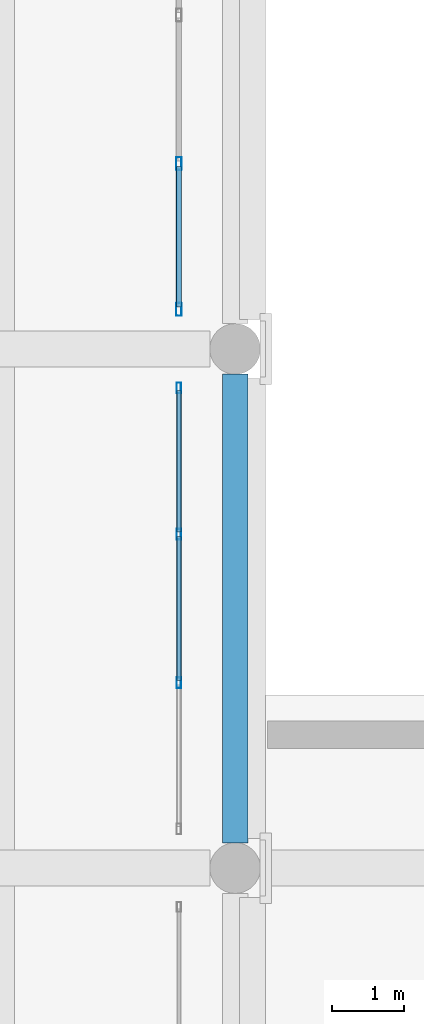
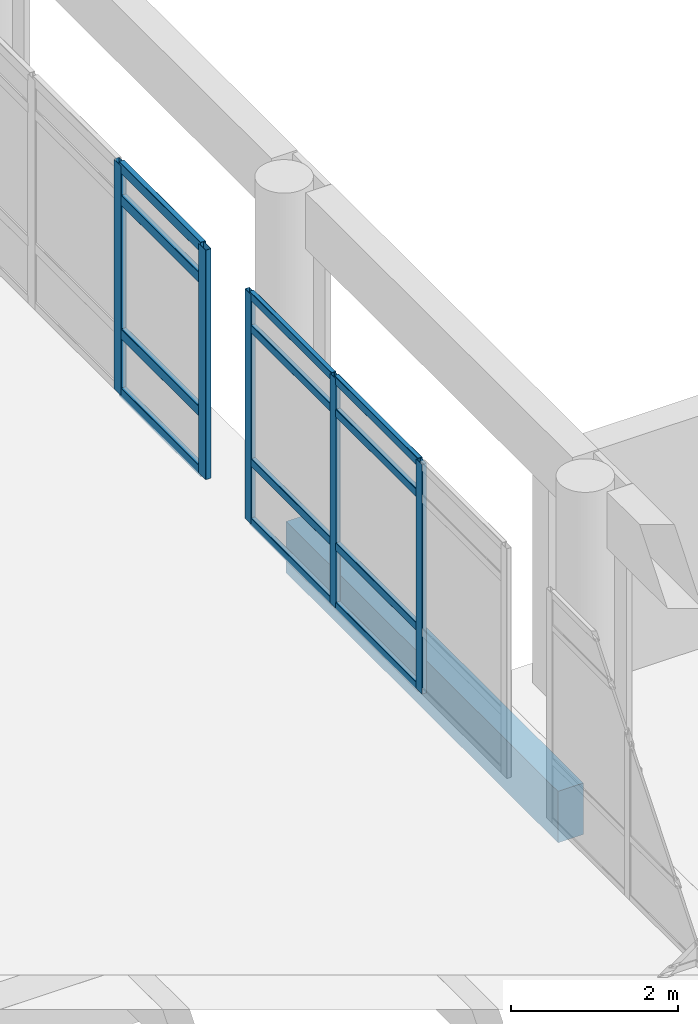
# One storey, part 39 of 196: 17 members, 1 beam, 2 elements without a shape of their own.
"""IFC4 building model written with IfcOpenShell, lengths in metres."""

from ifc_helpers import new_model, si_unit, direction, frame, origin, origin_2d, place, context, subcontext, project, spatial, rectangle, hollow_rectangle, extrude, material, layer, layer_set, material_profile, profile_set, type_object, element, aggregate, save


model = new_model("IFC4")

# Units and contexts
model_context = context("Model", 3, precision=1e-05, world=origin(), true_north=direction((0.0, 1.0)))
body_context = subcontext(model_context, "Body", "Model", "MODEL_VIEW")
ifc_project = project(units=[si_unit("LENGTHUNIT", "METRE"), si_unit("AREAUNIT", "SQUARE_METRE"), si_unit("VOLUMEUNIT", "CUBIC_METRE"), si_unit("PLANEANGLEUNIT", "RADIAN"), si_unit("MASSUNIT", "GRAM", prefix="KILO")], contexts=[model_context])

# Site, building, storey
site_placement = place(None, origin())
site = spatial("IfcSite", under=ifc_project, at=site_placement, CompositionType="ELEMENT")
building_placement = place(site_placement, origin())
building = spatial("IfcBuilding", under=site, at=building_placement, Name="Asteropetra Specialist Clinic", CompositionType="ELEMENT")
storey_placement = place(building_placement, origin())
storey = spatial("IfcBuildingStorey", under=building, at=storey_placement, Name="L00", CompositionType="ELEMENT", Elevation=0.0)

# Curtain wall, members
ifc_material_1 = material(Name="Aluminium and low-E glass", Category="aluminium")
ifc_layer = layer(ifc_material_1, 0.179931640625)
ifc_layer_set = layer_set([ifc_layer], Name="Aluminium and low-E glass")
curtain_wall_type = type_object("IfcCurtainWallType", Name="CW-SYS-10", PredefinedType="USERDEFINED", material=ifc_layer_set)
curtain_wall_1_placement = place(storey_placement, origin())
curtain_wall_1 = element("IfcCurtainWall", 1, at=curtain_wall_1_placement, inside=storey, type_object=curtain_wall_type, Name="Curtain Wall CW-130", ObjectType="STICK GLAZED COLONNADE", PredefinedType="USERDEFINED")
ifc_material_2 = material(Name="Aluminium 6063-T6", Category="aluminium")
ifc_material_profile_1 = material_profile(ifc_material_2, hollow_rectangle(XDim=0.06494140625, YDim=0.14990234375, WallThickness=0.00390625, InnerFilletRadius=0.00390625, OuterFilletRadius=0.008056640625, at=origin_2d()), Name="MUL 150x65x4.0")
ifc_profile_set_1 = profile_set([ifc_material_profile_1], Name="Aluminium 6063-T6")
member_type_1 = type_object("IfcMemberType", Name="CWM-150x65", PredefinedType="MULLION", material=ifc_profile_set_1)
member_1_placement = place(storey_placement, frame((56.820068359375, 7.3701171875, 0.0), z_axis=(0.0, 0.0, 1.0), x_axis=(-1.0, 0.0, 0.0)))
member_1 = element("IfcMember", 2, at=member_1_placement, type_object=member_type_1, Name="CW-130 mullion 2", PredefinedType="MULLION", context=body_context, shape_type="SweptSolid", body=[
    extrude(hollow_rectangle(XDim=0.06494140625, YDim=0.14990234375, WallThickness=0.00390625, InnerFilletRadius=0.00390625, OuterFilletRadius=0.008056640625, at=origin_2d()), origin(), (0.0, 0.0, 1.0), 3.35009765625),
])
member_2_placement = place(storey_placement, frame((56.820068359375, 9.429931640625, 0.0), z_axis=(0.0, 0.0, 1.0), x_axis=(-1.0, 0.0, 0.0)))
member_2 = element("IfcMember", 3, at=member_2_placement, type_object=member_type_1, Name="CW-130 mullion 3", PredefinedType="MULLION", context=body_context, shape_type="SweptSolid", body=[
    extrude(hollow_rectangle(XDim=0.06494140625, YDim=0.14990234375, WallThickness=0.00390625, InnerFilletRadius=0.00390625, OuterFilletRadius=0.008056640625, at=origin_2d()), origin(), (0.0, 0.0, 1.0), 3.35009765625),
])
member_3_placement = place(storey_placement, frame((56.820068359375, 11.45751953125, 0.0), z_axis=(0.0, 0.0, 1.0), x_axis=(-1.0, 0.0, 0.0)))
member_3 = element("IfcMember", 4, at=member_3_placement, type_object=member_type_1, Name="CW-130 mullion 4", PredefinedType="MULLION", context=body_context, shape_type="SweptSolid", body=[
    extrude(hollow_rectangle(XDim=0.06494140625, YDim=0.14990234375, WallThickness=0.00390625, InnerFilletRadius=0.00390625, OuterFilletRadius=0.008056640625, at=origin_2d()), origin(), (0.0, 0.0, 1.0), 3.35009765625),
])

curtain_wall_2_placement = place(storey_placement, origin())
curtain_wall_2 = element("IfcCurtainWall", 5, at=curtain_wall_2_placement, inside=storey, type_object=curtain_wall_type, Name="Curtain Wall CW-132", ObjectType="STICK GLAZED COLONNADE", PredefinedType="USERDEFINED")
ifc_material_3 = material(Name="Aluminium 6063-T6", Category="aluminium")
ifc_material_profile_2 = material_profile(ifc_material_3, hollow_rectangle(XDim=0.074951171875, YDim=0.179931640625, WallThickness=0.00390625, InnerFilletRadius=0.00390625, OuterFilletRadius=0.008056640625, at=origin_2d()), Name="MUL 180x75x4.0")
ifc_profile_set_2 = profile_set([ifc_material_profile_2], Name="Aluminium 6063-T6")
member_type_2 = type_object("IfcMemberType", Name="CWM-180x75", PredefinedType="MULLION", material=ifc_profile_set_2)
member_4_placement = place(storey_placement, frame((56.820068359375, 12.547607421875, 0.0), z_axis=(0.0, 0.0, 1.0), x_axis=(-1.0, 0.0, 0.0)))
member_4 = element("IfcMember", 6, at=member_4_placement, type_object=member_type_2, Name="CW-132 mullion 1", PredefinedType="MULLION", context=body_context, shape_type="SweptSolid", body=[
    extrude(hollow_rectangle(XDim=0.074951171875, YDim=0.179931640625, WallThickness=0.00390625, InnerFilletRadius=0.00390625, OuterFilletRadius=0.008056640625, at=origin_2d()), origin(), (0.0, 0.0, 1.0), 3.35009765625),
])
member_5_placement = place(storey_placement, frame((56.820068359375, 14.570068359375, 0.0), z_axis=(0.0, 0.0, 1.0), x_axis=(-1.0, 0.0, 0.0)))
member_5 = element("IfcMember", 7, at=member_5_placement, type_object=member_type_2, Name="CW-132 mullion 2", PredefinedType="MULLION", context=body_context, shape_type="SweptSolid", body=[
    extrude(hollow_rectangle(XDim=0.074951171875, YDim=0.179931640625, WallThickness=0.00390625, InnerFilletRadius=0.00390625, OuterFilletRadius=0.008056640625, at=origin_2d()), origin(), (0.0, 0.0, 1.0), 3.35009765625),
])

# Member
ifc_material_4 = material(Name="Aluminium 6063-T6", Category="aluminium")
ifc_material_profile_3 = material_profile(ifc_material_4, hollow_rectangle(XDim=0.06494140625, YDim=0.1201171875, WallThickness=0.00390625, InnerFilletRadius=0.00390625, OuterFilletRadius=0.008056640625, at=origin_2d()), Name="TRN 120x65x4.0")
ifc_profile_set_3 = profile_set([ifc_material_profile_3], Name="Aluminium 6063-T6")
member_type_3 = type_object("IfcMemberType", Name="CWT-120x65", PredefinedType="USERDEFINED", material=ifc_profile_set_3)
member_6_placement = place(storey_placement, frame((56.820068359375, 7.402587890625, 0.032470703125), z_axis=(0.0, 1.0, 0.0), x_axis=(-1.0, 0.0, 0.0)))
member_6 = element("IfcMember", 8, at=member_6_placement, type_object=member_type_3, Name="CW-130 transom 2.1", ObjectType="TRANSOM", PredefinedType="USERDEFINED", context=body_context, shape_type="SweptSolid", body=[
    extrude(hollow_rectangle(XDim=0.06494140625, YDim=0.1201171875, WallThickness=0.00390625, InnerFilletRadius=0.00390625, OuterFilletRadius=0.008056640625, at=origin_2d()), origin(), (0.0, 0.0, 1.0), 1.994873046875),
])

member_7_placement = place(storey_placement, frame((56.820068359375, 7.402587890625, 0.89990234375), z_axis=(0.0, 1.0, 0.0), x_axis=(-1.0, 0.0, 0.0)))
member_7 = element("IfcMember", 9, at=member_7_placement, type_object=member_type_3, Name="CW-130 transom 2.2", ObjectType="TRANSOM", PredefinedType="USERDEFINED", context=body_context, shape_type="SweptSolid", body=[
    extrude(hollow_rectangle(XDim=0.06494140625, YDim=0.1201171875, WallThickness=0.00390625, InnerFilletRadius=0.00390625, OuterFilletRadius=0.008056640625, at=origin_2d()), origin(), (0.0, 0.0, 1.0), 1.994873046875),
])

member_8_placement = place(storey_placement, frame((56.820068359375, 7.402587890625, 2.85009765625), z_axis=(0.0, 1.0, 0.0), x_axis=(-1.0, 0.0, 0.0)))
member_8 = element("IfcMember", 10, at=member_8_placement, type_object=member_type_3, Name="CW-130 transom 2.3", ObjectType="TRANSOM", PredefinedType="USERDEFINED", context=body_context, shape_type="SweptSolid", body=[
    extrude(hollow_rectangle(XDim=0.06494140625, YDim=0.1201171875, WallThickness=0.00390625, InnerFilletRadius=0.00390625, OuterFilletRadius=0.008056640625, at=origin_2d()), origin(), (0.0, 0.0, 1.0), 1.994873046875),
])

member_9_placement = place(storey_placement, frame((56.820068359375, 7.402587890625, 3.3173828125), z_axis=(0.0, 1.0, 0.0), x_axis=(-1.0, 0.0, 0.0)))
member_9 = element("IfcMember", 11, at=member_9_placement, type_object=member_type_3, Name="CW-130 transom 2.4", ObjectType="TRANSOM", PredefinedType="USERDEFINED", context=body_context, shape_type="SweptSolid", body=[
    extrude(hollow_rectangle(XDim=0.06494140625, YDim=0.1201171875, WallThickness=0.00390625, InnerFilletRadius=0.00390625, OuterFilletRadius=0.008056640625, at=origin_2d()), origin(), (0.0, 0.0, 1.0), 1.994873046875),
])

member_10_placement = place(storey_placement, frame((56.820068359375, 9.46240234375, 0.032470703125), z_axis=(0.0, 1.0, 0.0), x_axis=(-1.0, 0.0, 0.0)))
member_10 = element("IfcMember", 12, at=member_10_placement, type_object=member_type_3, Name="CW-130 transom 3.1", ObjectType="TRANSOM", PredefinedType="USERDEFINED", context=body_context, shape_type="SweptSolid", body=[
    extrude(hollow_rectangle(XDim=0.06494140625, YDim=0.1201171875, WallThickness=0.00390625, InnerFilletRadius=0.00390625, OuterFilletRadius=0.008056640625, at=origin_2d()), origin(), (0.0, 0.0, 1.0), 1.962646484375),
])

member_11_placement = place(storey_placement, frame((56.820068359375, 9.46240234375, 0.89990234375), z_axis=(0.0, 1.0, 0.0), x_axis=(-1.0, 0.0, 0.0)))
member_11 = element("IfcMember", 13, at=member_11_placement, type_object=member_type_3, Name="CW-130 transom 3.2", ObjectType="TRANSOM", PredefinedType="USERDEFINED", context=body_context, shape_type="SweptSolid", body=[
    extrude(hollow_rectangle(XDim=0.06494140625, YDim=0.1201171875, WallThickness=0.00390625, InnerFilletRadius=0.00390625, OuterFilletRadius=0.008056640625, at=origin_2d()), origin(), (0.0, 0.0, 1.0), 1.962646484375),
])

member_12_placement = place(storey_placement, frame((56.820068359375, 9.46240234375, 2.85009765625), z_axis=(0.0, 1.0, 0.0), x_axis=(-1.0, 0.0, 0.0)))
member_12 = element("IfcMember", 14, at=member_12_placement, type_object=member_type_3, Name="CW-130 transom 3.3", ObjectType="TRANSOM", PredefinedType="USERDEFINED", context=body_context, shape_type="SweptSolid", body=[
    extrude(hollow_rectangle(XDim=0.06494140625, YDim=0.1201171875, WallThickness=0.00390625, InnerFilletRadius=0.00390625, OuterFilletRadius=0.008056640625, at=origin_2d()), origin(), (0.0, 0.0, 1.0), 1.962646484375),
])

member_13_placement = place(storey_placement, frame((56.820068359375, 9.46240234375, 3.3173828125), z_axis=(0.0, 1.0, 0.0), x_axis=(-1.0, 0.0, 0.0)))
member_13 = element("IfcMember", 15, at=member_13_placement, type_object=member_type_3, Name="CW-130 transom 3.4", ObjectType="TRANSOM", PredefinedType="USERDEFINED", context=body_context, shape_type="SweptSolid", body=[
    extrude(hollow_rectangle(XDim=0.06494140625, YDim=0.1201171875, WallThickness=0.00390625, InnerFilletRadius=0.00390625, OuterFilletRadius=0.008056640625, at=origin_2d()), origin(), (0.0, 0.0, 1.0), 1.962646484375),
])

aggregate(curtain_wall_1, [member_1, member_2, member_3, member_6, member_7, member_8, member_9, member_10, member_11, member_12, member_13])

ifc_material_5 = material(Name="Aluminium 6063-T6", Category="aluminium")
ifc_material_profile_4 = material_profile(ifc_material_5, hollow_rectangle(XDim=0.074951171875, YDim=0.14990234375, WallThickness=0.00390625, InnerFilletRadius=0.00390625, OuterFilletRadius=0.008056640625, at=origin_2d()), Name="TRN 150x75x4.0")
ifc_profile_set_4 = profile_set([ifc_material_profile_4], Name="Aluminium 6063-T6")
member_type_4 = type_object("IfcMemberType", Name="CWT-150x75", PredefinedType="USERDEFINED", material=ifc_profile_set_4)
member_14_placement = place(storey_placement, frame((56.820068359375, 12.5849609375, 0.03759765625), z_axis=(0.0, 1.0, 0.0), x_axis=(-1.0, 0.0, 0.0)))
member_14 = element("IfcMember", 16, at=member_14_placement, type_object=member_type_4, Name="CW-132 transom 1.1", ObjectType="TRANSOM", PredefinedType="USERDEFINED", context=body_context, shape_type="SweptSolid", body=[
    extrude(hollow_rectangle(XDim=0.074951171875, YDim=0.14990234375, WallThickness=0.00390625, InnerFilletRadius=0.00390625, OuterFilletRadius=0.008056640625, at=origin_2d()), origin(), (0.0, 0.0, 1.0), 1.947509765625),
])

member_15_placement = place(storey_placement, frame((56.820068359375, 12.5849609375, 0.89990234375), z_axis=(0.0, 1.0, 0.0), x_axis=(-1.0, 0.0, 0.0)))
member_15 = element("IfcMember", 17, at=member_15_placement, type_object=member_type_4, Name="CW-132 transom 1.2", ObjectType="TRANSOM", PredefinedType="USERDEFINED", context=body_context, shape_type="SweptSolid", body=[
    extrude(hollow_rectangle(XDim=0.074951171875, YDim=0.14990234375, WallThickness=0.00390625, InnerFilletRadius=0.00390625, OuterFilletRadius=0.008056640625, at=origin_2d()), origin(), (0.0, 0.0, 1.0), 1.947509765625),
])

member_16_placement = place(storey_placement, frame((56.820068359375, 12.5849609375, 2.85009765625), z_axis=(0.0, 1.0, 0.0), x_axis=(-1.0, 0.0, 0.0)))
member_16 = element("IfcMember", 18, at=member_16_placement, type_object=member_type_4, Name="CW-132 transom 1.3", ObjectType="TRANSOM", PredefinedType="USERDEFINED", context=body_context, shape_type="SweptSolid", body=[
    extrude(hollow_rectangle(XDim=0.074951171875, YDim=0.14990234375, WallThickness=0.00390625, InnerFilletRadius=0.00390625, OuterFilletRadius=0.008056640625, at=origin_2d()), origin(), (0.0, 0.0, 1.0), 1.947509765625),
])

member_17_placement = place(storey_placement, frame((56.820068359375, 12.5849609375, 3.3125), z_axis=(0.0, 1.0, 0.0), x_axis=(-1.0, 0.0, 0.0)))
member_17 = element("IfcMember", 19, at=member_17_placement, type_object=member_type_4, Name="CW-132 transom 1.4", ObjectType="TRANSOM", PredefinedType="USERDEFINED", context=body_context, shape_type="SweptSolid", body=[
    extrude(hollow_rectangle(XDim=0.074951171875, YDim=0.14990234375, WallThickness=0.00390625, InnerFilletRadius=0.00390625, OuterFilletRadius=0.008056640625, at=origin_2d()), origin(), (0.0, 0.0, 1.0), 1.947509765625),
])

aggregate(curtain_wall_2, [member_4, member_5, member_14, member_15, member_16, member_17])

# Beam
ifc_material_6 = material(Name="Concrete C35/45", Category="concrete")
ifc_material_profile_5 = material_profile(ifc_material_6, rectangle(XDim=0.35009765625, YDim=0.75, at=origin_2d()), Name="RCS 350x750")
ifc_profile_set_5 = profile_set([ifc_material_profile_5], Name="Concrete C35/45")
beam_type = type_object("IfcBeamType", Name="SPN-RC350x750", PredefinedType="SPANDREL", material=ifc_profile_set_5)
beam_placement = place(storey_placement, frame((57.60009765625, 5.14990234375, -0.715087890625), z_axis=(0.0, 1.0, 0.0), x_axis=(-1.0, 0.0, 0.0)))
element("IfcBeam", 20, at=beam_placement, inside=storey, type_object=beam_type, Name="Beam BSPN01-0056", PredefinedType="SPANDREL", context=body_context, shape_type="SweptSolid", body=[
    extrude(rectangle(XDim=0.35009765625, YDim=0.75, at=origin_2d()), origin(), (0.0, 0.0, 1.0), 6.5),
])

save(model, "model.ifc")
